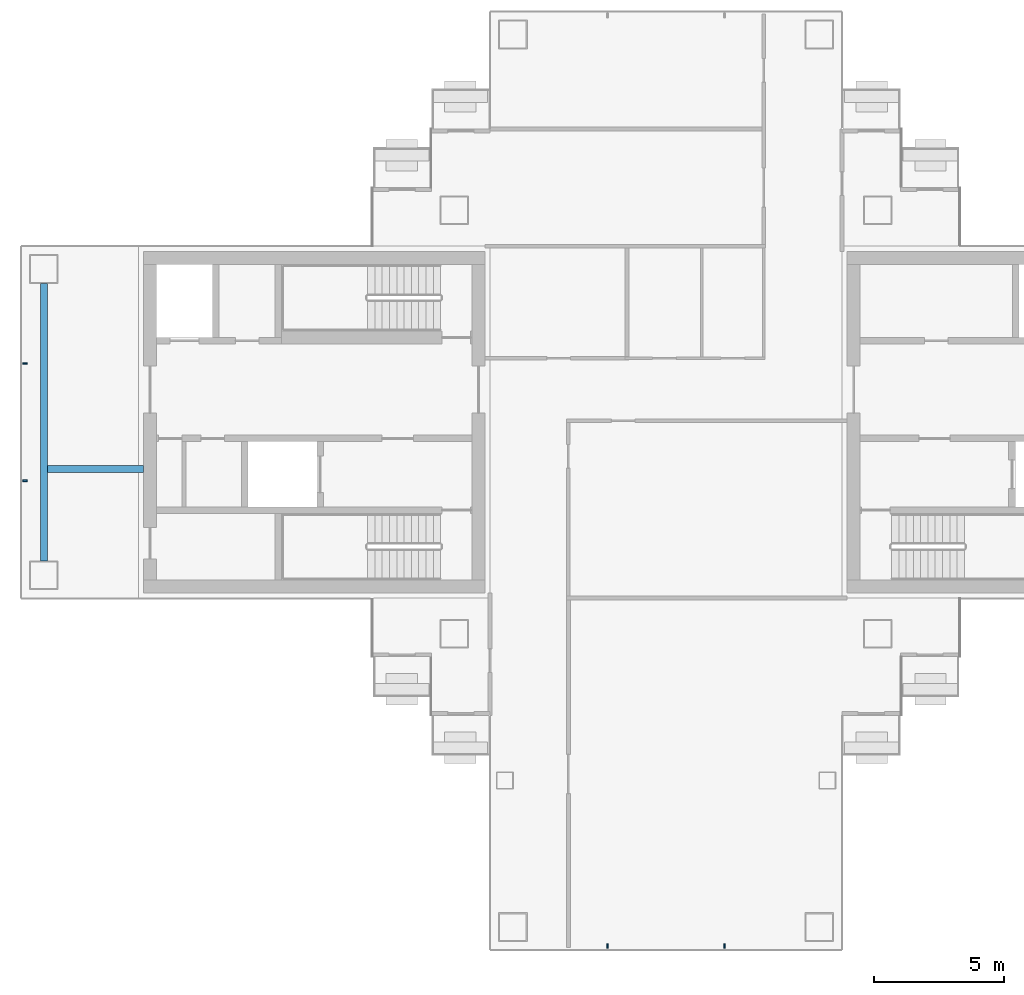
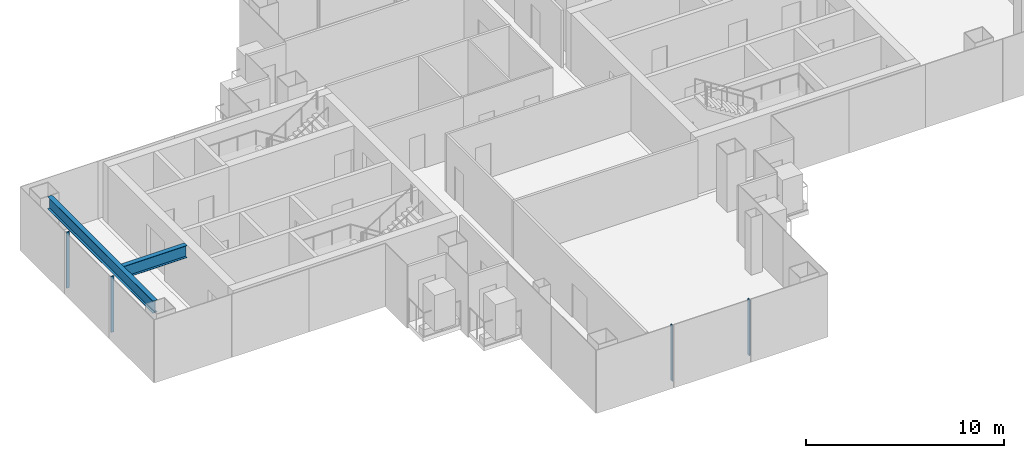
# One storey, part 3 of 16: 4 members, 2 beams, 2 elements without a shape of their own.
"""IFC4 building model written with IfcOpenShell, lengths in metres."""

from ifc_helpers import new_model, si_unit, direction, frame, origin, origin_2d, place, context, subcontext, project, spatial, rectangle, i_section, extrude, material, layer, layer_set, material_profile, profile_set, type_object, element, aggregate, save


model = new_model("IFC4")

# Units and contexts
model_context = context("Model", 3, precision=1e-05, world=origin(), true_north=direction((0.0, 1.0)))
body_context = subcontext(model_context, "Body", "Model", "MODEL_VIEW")
ifc_project = project(units=[si_unit("LENGTHUNIT", "METRE"), si_unit("AREAUNIT", "SQUARE_METRE"), si_unit("VOLUMEUNIT", "CUBIC_METRE"), si_unit("PLANEANGLEUNIT", "RADIAN"), si_unit("MASSUNIT", "GRAM", prefix="KILO")], contexts=[model_context])

# Site, building, storey
site_placement = place(None, origin())
site = spatial("IfcSite", under=ifc_project, at=site_placement, CompositionType="ELEMENT")
building_placement = place(site_placement, origin())
building = spatial("IfcBuilding", under=site, at=building_placement, Name="Shamsa Quay Exchange Towers", CompositionType="ELEMENT")
storey_placement = place(building_placement, frame((0.0, 0.0, 154.5)))
storey = spatial("IfcBuildingStorey", under=building, at=storey_placement, Name="L36", CompositionType="ELEMENT", Elevation=154.5)

# Curtain wall, members
ifc_material_1 = material(Name="Aluminium EN AW-6063 T6, black anodised", Category="aluminium")
ifc_layer = layer(ifc_material_1, 0.280029296875)
ifc_layer_set = layer_set([ifc_layer], Name="CW-1 UNITISED VISION GLASS")
curtain_wall_type = type_object("IfcCurtainWallType", Name="CW-1 UNITISED VISION GLASS", PredefinedType="NOTDEFINED", material=ifc_layer_set)
curtain_wall_1_placement = place(storey_placement, origin())
curtain_wall_1 = element("IfcCurtainWall", 1, at=curtain_wall_1_placement, inside=storey, type_object=curtain_wall_type, Name="CW1 T1-END-V- L36", PredefinedType="NOTDEFINED")
ifc_material_profile_1 = material_profile(ifc_material_1, rectangle(XDim=0.179931640625, YDim=0.06005859375, at=origin_2d()), Name="MU60x180")
ifc_profile_set_1 = profile_set([ifc_material_profile_1], Name="Aluminium EN AW-6063 T6, black anodised")
member_type = type_object("IfcMemberType", Name="CW1 MULLION 60x180", PredefinedType="MULLION", material=ifc_profile_set_1)
member_1_placement = place(storey_placement, frame((-36.0, -20.10009765625, 0.0), z_axis=(0.0, 0.0, 1.0), x_axis=(0.0, 1.0, 0.0)))
member_1 = element("IfcMember", 2, at=member_1_placement, type_object=member_type, Name="CW1 mullion", PredefinedType="MULLION", context=body_context, shape_type="SweptSolid", body=[
    extrude(rectangle(XDim=0.179931640625, YDim=0.06005859375, at=origin_2d()), origin(), (0.0, 0.0, 1.0), 3.449951171875),
])
member_2_placement = place(storey_placement, frame((-31.5, -20.10009765625, 0.0), z_axis=(0.0, 0.0, 1.0), x_axis=(0.0, 1.0, 0.0)))
member_2 = element("IfcMember", 3, at=member_2_placement, type_object=member_type, Name="CW1 mullion", PredefinedType="MULLION", context=body_context, shape_type="SweptSolid", body=[
    extrude(rectangle(XDim=0.179931640625, YDim=0.06005859375, at=origin_2d()), origin(), (0.0, 0.0, 1.0), 3.449951171875),
])
aggregate(curtain_wall_1, [member_1, member_2])

curtain_wall_2_placement = place(storey_placement, origin())
curtain_wall_2 = element("IfcCurtainWall", 4, at=curtain_wall_2_placement, inside=storey, type_object=curtain_wall_type, Name="CW1 T1-END-U- L36", PredefinedType="NOTDEFINED")
member_3_placement = place(storey_placement, frame((-58.35009765625, 2.25, 0.0)))
member_3 = element("IfcMember", 5, at=member_3_placement, type_object=member_type, Name="CW1 mullion", PredefinedType="MULLION", context=body_context, shape_type="SweptSolid", body=[
    extrude(rectangle(XDim=0.179931640625, YDim=0.06005859375, at=origin_2d()), origin(), (0.0, 0.0, 1.0), 3.449951171875),
])
member_4_placement = place(storey_placement, frame((-58.35009765625, -2.25, 0.0)))
member_4 = element("IfcMember", 6, at=member_4_placement, type_object=member_type, Name="CW1 mullion", PredefinedType="MULLION", context=body_context, shape_type="SweptSolid", body=[
    extrude(rectangle(XDim=0.179931640625, YDim=0.06005859375, at=origin_2d()), origin(), (0.0, 0.0, 1.0), 3.449951171875),
])
aggregate(curtain_wall_2, [member_3, member_4])

# Beams
ifc_material_2 = material(Name="Steel S355", Category="steel")
ifc_material_profile_2 = material_profile(ifc_material_2, i_section(OverallWidth=0.26611328125, OverallDepth=0.7578125, WebThickness=0.013916015625, FlangeThickness=0.019287109375, at=origin_2d()), Name="W30x108")
ifc_profile_set_2 = profile_set([ifc_material_profile_2], Name="Steel S355")
beam_type = type_object("IfcBeamType", Name="End-zone beam W30x108", PredefinedType="BEAM", material=ifc_profile_set_2)
beam_1_placement = place(storey_placement, frame((-57.625, -5.324951171875, 3.171142578125), z_axis=(0.0, 1.0, 0.0), x_axis=(-1.0, 0.0, 0.0)))
element("IfcBeam", 7, at=beam_1_placement, inside=storey, type_object=beam_type, Name="End beam T1 U- end zone L36", PredefinedType="BEAM", context=body_context, shape_type="SweptSolid", body=[
    extrude(i_section(OverallWidth=0.26611328125, OverallDepth=0.7578125, WebThickness=0.013916015625, FlangeThickness=0.019287109375, at=origin_2d()), origin(), (0.0, 0.0, 1.0), 10.64990234375),
])
beam_2_placement = place(storey_placement, frame((-53.800048828125, -1.800048828125, 3.171142578125), z_axis=(-1.0, 0.0, 0.0), x_axis=(0.0, -1.0, 0.0)))
element("IfcBeam", 8, at=beam_2_placement, inside=storey, type_object=beam_type, Name="Spine beam T1 U- end zone L36", PredefinedType="BEAM", context=body_context, shape_type="SweptSolid", body=[
    extrude(i_section(OverallWidth=0.26611328125, OverallDepth=0.7578125, WebThickness=0.013916015625, FlangeThickness=0.019287109375, at=origin_2d()), origin(), (0.0, 0.0, 1.0), 3.69189453125),
])

save(model, "model.ifc")
